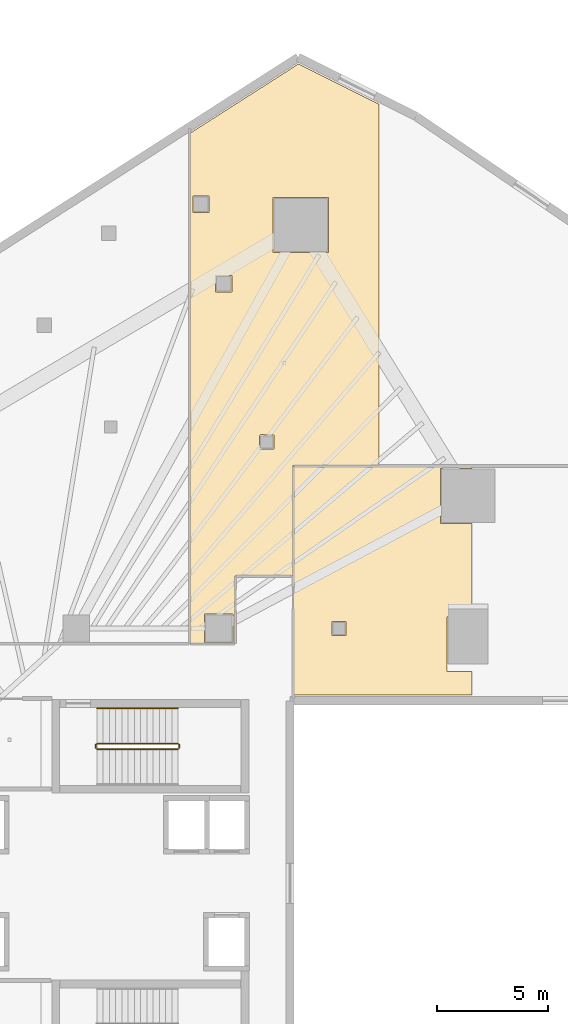
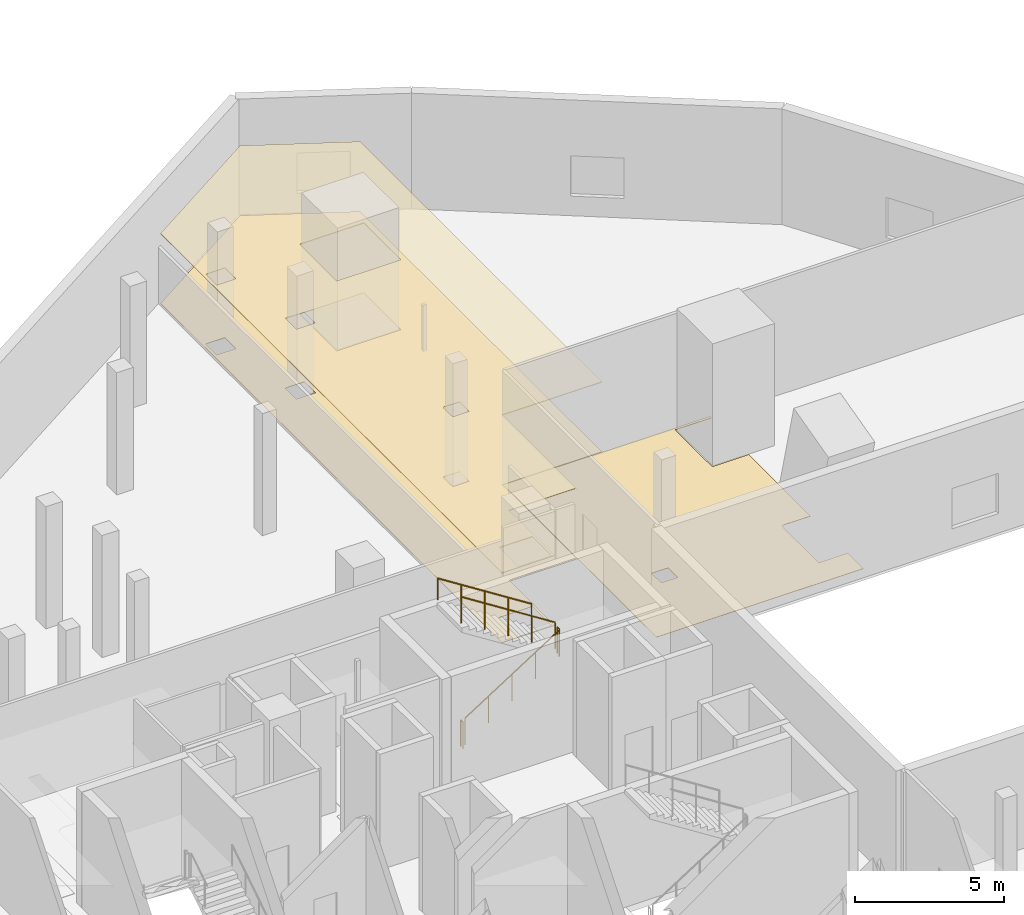
# One storey, part 44 of 47: 5 railings, 3 coverings.
"""IFC4 building model written with IfcOpenShell, lengths in metres."""

from ifc_helpers import new_model, si_unit, direction, frame, origin, origin_2d, place, context, subcontext, project, spatial, polyline, circle, outline, extrude, material, layer, layer_set, type_object, element, save


model = new_model("IFC4")

# Units and contexts
model_context = context("Model", 3, precision=1e-05, world=origin(), true_north=direction((0.0, 1.0)))
body_context = subcontext(model_context, "Body", "Model", "MODEL_VIEW")
ifc_project = project(units=[si_unit("LENGTHUNIT", "METRE"), si_unit("AREAUNIT", "SQUARE_METRE"), si_unit("VOLUMEUNIT", "CUBIC_METRE"), si_unit("PLANEANGLEUNIT", "RADIAN"), si_unit("MASSUNIT", "GRAM", prefix="KILO")], contexts=[model_context])

# Site, building, storey
site_placement = place(None, origin())
site = spatial("IfcSite", under=ifc_project, at=site_placement, CompositionType="ELEMENT")
building_placement = place(site_placement, origin())
building = spatial("IfcBuilding", under=site, at=building_placement, Name="Qorvath Tower", CompositionType="ELEMENT")
storey_placement = place(building_placement, frame((0.0, 0.0, 12.0)))
storey = spatial("IfcBuildingStorey", under=building, at=storey_placement, Name="L02", CompositionType="ELEMENT", Elevation=12.0)

# Coverings
ifc_material_1 = material(Name="Acoustic mineral fibre ceiling tile", Category="gypsum")
ifc_layer_1 = layer(ifc_material_1, 0.030029296875)
ifc_layer_set_1 = layer_set([ifc_layer_1], Name="COV-CEIL")
covering_type_1 = type_object("IfcCoveringType", Name="COV-CEIL", PredefinedType="CEILING", material=ifc_layer_set_1)
covering_1_placement = place(storey_placement, frame((0.0, 0.0, 2.85009765625)))
element("IfcCovering", 1, at=covering_1_placement, inside=storey, type_object=covering_type_1, Name="L02 Suspended Acoustic Ceiling 009", PredefinedType="CEILING", context=body_context, shape_type="SweptSolid", body=[
    extrude(outline(polyline([(-10.009765625, 18.762939453125), (-10.009765625, 34.99658203125), (-13.619873046875, 36.801513671875), (-18.4951171875, 33.685791015625), (-18.4951171875, 10.762939453125), (-16.462890625, 10.762939453125), (-16.46142578125, 13.8115234375), (-13.863037109375, 13.81298828125), (-13.85791015625, 18.762939453125), (-10.009765625, 18.762939453125)]), holes=[polyline([(-14.762451171875, 30.810546875), (-12.277587890625, 30.810546875), (-12.277587890625, 28.32568359375), (-14.762451171875, 28.32568359375), (-14.762451171875, 30.810546875)]), polyline([(-15.381103515625, 20.093017578125), (-15.321044921875, 20.153076171875), (-14.728759765625, 20.135498046875), (-14.728759765625, 19.500732421875), (-15.363525390625, 19.500732421875), (-15.381103515625, 20.093017578125)]), polyline([(-17.842529296875, 12.092529296875), (-16.5576171875, 12.092529296875), (-16.5576171875, 10.8076171875), (-17.842529296875, 10.8076171875), (-17.842529296875, 12.092529296875)]), polyline([(-17.3486328125, 27.296630859375), (-16.61376953125, 27.296630859375), (-16.61376953125, 26.561767578125), (-17.3486328125, 26.561767578125), (-17.3486328125, 27.296630859375)]), polyline([(-18.367431640625, 30.867431640625), (-17.632568359375, 30.867431640625), (-17.632568359375, 30.132568359375), (-18.367431640625, 30.132568359375), (-18.367431640625, 30.867431640625)])]), origin(), (0.0, 0.0, 1.0), 0.030029296875),
])
ifc_material_2 = material(Name="Low-VOC modular carpet tile", Category="textile")
ifc_layer_2 = layer(ifc_material_2, 0.014892578125)
ifc_layer_set_2 = layer_set([ifc_layer_2], Name="COV-FLOOR-CPT")
covering_type_2 = type_object("IfcCoveringType", Name="COV-FLOOR-CPT", PredefinedType="FLOORING", material=ifc_layer_set_2)
covering_2_placement = place(storey_placement, origin())
element("IfcCovering", 2, at=covering_2_placement, inside=storey, type_object=covering_type_2, Name="L02 Floor Finish 008", PredefinedType="FLOORING", context=body_context, shape_type="SweptSolid", body=[
    extrude(outline(polyline([(-5.83056640625, 8.455078125), (-5.83056640625, 9.507568359375), (-6.9423828125, 9.507568359375), (-6.9599609375, 11.949951171875), (-6.89990234375, 12.010009765625), (-5.83056640625, 11.999755859375), (-5.83056640625, 16.157470703125), (-7.242431640625, 16.157470703125), (-7.242431640625, 18.642333984375), (-5.83056640625, 18.642333984375), (-5.83056640625, 18.7451171875), (-13.844970703125, 18.7451171875), (-13.844970703125, 8.455078125), (-5.83056640625, 8.455078125)]), holes=[polyline([(-12.117431640625, 11.767333984375), (-11.482666015625, 11.767333984375), (-11.482666015625, 11.132568359375), (-12.117431640625, 11.132568359375), (-12.117431640625, 11.767333984375)])]), origin(), (0.0, 0.0, 1.0), 0.014892578125),
])
covering_3_placement = place(storey_placement, origin())
element("IfcCovering", 3, at=covering_3_placement, inside=storey, type_object=covering_type_2, Name="L02 Floor Finish 009", PredefinedType="FLOORING", context=body_context, shape_type="SweptSolid", body=[
    extrude(outline(polyline([(-10.009765625, 18.762939453125), (-10.009765625, 34.99658203125), (-13.619873046875, 36.801513671875), (-18.4951171875, 33.685791015625), (-18.4951171875, 10.762939453125), (-16.462890625, 10.762939453125), (-16.46142578125, 13.8115234375), (-13.863037109375, 13.81298828125), (-13.85791015625, 18.762939453125), (-10.009765625, 18.762939453125)]), holes=[polyline([(-14.762451171875, 30.810546875), (-12.277587890625, 30.810546875), (-12.277587890625, 28.32568359375), (-14.762451171875, 28.32568359375), (-14.762451171875, 30.810546875)]), polyline([(-15.381103515625, 20.093017578125), (-15.321044921875, 20.153076171875), (-14.728759765625, 20.135498046875), (-14.728759765625, 19.500732421875), (-15.363525390625, 19.500732421875), (-15.381103515625, 20.093017578125)]), polyline([(-17.842529296875, 12.092529296875), (-16.5576171875, 12.092529296875), (-16.5576171875, 10.8076171875), (-17.842529296875, 10.8076171875), (-17.842529296875, 12.092529296875)]), polyline([(-17.3486328125, 27.296630859375), (-16.61376953125, 27.296630859375), (-16.61376953125, 26.561767578125), (-17.3486328125, 26.561767578125), (-17.3486328125, 27.296630859375)]), polyline([(-18.367431640625, 30.867431640625), (-17.632568359375, 30.867431640625), (-17.632568359375, 30.132568359375), (-18.367431640625, 30.132568359375), (-18.367431640625, 30.867431640625)])]), origin(), (0.0, 0.0, 1.0), 0.014892578125),
])

# Railings
ifc_material_3 = material(Name="Painted galvanised steel", Category="steel")
railing_type_1 = type_object("IfcRailingType", Name="RL-STR-GRD", PredefinedType="GUARDRAIL", material=ifc_material_3)
railing_1_placement = place(storey_placement, frame((-22.669921875, 6.030029296875, 0.178466796875)))
element("IfcRailing", 4, at=railing_1_placement, inside=storey, type_object=railing_type_1, Name="L02 TS1 stair guard 1", PredefinedType="GUARDRAIL", context=body_context, shape_type="SweptSolid", body=[
    extrude(circle(Radius=0.02392578125, at=origin_2d()), frame((0.0, 0.0, 1.076171875), z_axis=(0.843111507901, 0.0, 0.53773877045), x_axis=(0.0, 1.0, 0.0)), (0.0, 0.0, 1.0), 4.317138671875),
    extrude(circle(Radius=0.02099609375, at=origin_2d()), origin(), (0.0, 0.0, 1.0), 1.052001953125),
    extrude(circle(Radius=0.02099609375, at=origin_2d()), frame((0.909912109375, 0.0, 0.580322265625)), (0.0, 0.0, 1.0), 1.052001953125),
    extrude(circle(Radius=0.02099609375, at=origin_2d()), frame((1.81982421875, 0.0, 1.16064453125)), (0.0, 0.0, 1.0), 1.052001953125),
    extrude(circle(Radius=0.02099609375, at=origin_2d()), frame((2.72998046875, 0.0, 1.7412109375)), (0.0, 0.0, 1.0), 1.052001953125),
    extrude(circle(Radius=0.02099609375, at=origin_2d()), frame((3.639892578125, 0.0, 2.321533203125)), (0.0, 0.0, 1.0), 1.052001953125),
])
railing_2_placement = place(storey_placement, frame((-18.97998046875, 6.080078125, 2.5)))
element("IfcRailing", 5, at=railing_2_placement, inside=storey, type_object=railing_type_1, Name="L02 TS1 stair guard 2", PredefinedType="GUARDRAIL", context=body_context, shape_type="SweptSolid", body=[
    extrude(circle(Radius=0.02392578125, at=origin_2d()), frame((0.0, 0.0, 1.076171875), z_axis=(0.0, 1.0, 0.0), x_axis=(-1.0, 0.0, 0.0)), (0.0, 0.0, 1.0), 0.14990234375),
    extrude(circle(Radius=0.02099609375, at=origin_2d()), origin(), (0.0, 0.0, 1.0), 1.052001953125),
    extrude(circle(Radius=0.02099609375, at=origin_2d()), frame((0.0, 0.14990234375, 0.0)), (0.0, 0.0, 1.0), 1.052001953125),
])
railing_3_placement = place(storey_placement, frame((-19.030029296875, 6.280029296875, 2.678466796875)))
element("IfcRailing", 6, at=railing_3_placement, inside=storey, type_object=railing_type_1, Name="L02 TS1 stair guard 3", PredefinedType="GUARDRAIL", context=body_context, shape_type="SweptSolid", body=[
    extrude(circle(Radius=0.02392578125, at=origin_2d()), frame((0.0, 0.0, 1.076171875), z_axis=(-0.843111507901, 0.0, 0.53773877045), x_axis=(0.0, -1.0, 0.0)), (0.0, 0.0, 1.0), 4.317138671875),
    extrude(circle(Radius=0.02099609375, at=origin_2d()), origin(), (0.0, 0.0, 1.0), 1.052001953125),
    extrude(circle(Radius=0.02099609375, at=origin_2d()), frame((-0.909912109375, 0.0, 0.580322265625)), (0.0, 0.0, 1.0), 1.052001953125),
    extrude(circle(Radius=0.02099609375, at=origin_2d()), frame((-1.81982421875, 0.0, 1.16064453125)), (0.0, 0.0, 1.0), 1.052001953125),
    extrude(circle(Radius=0.02099609375, at=origin_2d()), frame((-2.72998046875, 0.0, 1.7412109375)), (0.0, 0.0, 1.0), 1.052001953125),
    extrude(circle(Radius=0.02099609375, at=origin_2d()), frame((-3.639892578125, 0.0, 2.321533203125)), (0.0, 0.0, 1.0), 1.052001953125),
])
railing_4_placement = place(storey_placement, frame((-22.719970703125, 6.080078125, 0.0)))
element("IfcRailing", 7, at=railing_4_placement, inside=storey, type_object=railing_type_1, Name="L02 TS1 stair guard 4", PredefinedType="GUARDRAIL", context=body_context, shape_type="SweptSolid", body=[
    extrude(circle(Radius=0.02392578125, at=origin_2d()), frame((0.0, 0.0, 1.076171875), z_axis=(0.0, 1.0, 0.0), x_axis=(-1.0, 0.0, 0.0)), (0.0, 0.0, 1.0), 0.14990234375),
    extrude(circle(Radius=0.02099609375, at=origin_2d()), origin(), (0.0, 0.0, 1.0), 1.052001953125),
    extrude(circle(Radius=0.02099609375, at=origin_2d()), frame((0.0, 0.14990234375, 0.0)), (0.0, 0.0, 1.0), 1.052001953125),
])
ifc_material_4 = material(Name="Brushed stainless steel AISI 304", Category="steel")
railing_type_2 = type_object("IfcRailingType", Name="RL-STR-HND", PredefinedType="HANDRAIL", material=ifc_material_4)
railing_5_placement = place(storey_placement, frame((-19.030029296875, 7.860107421875, 2.678466796875)))
element("IfcRailing", 8, at=railing_5_placement, inside=storey, type_object=railing_type_2, Name="L02 TS1 stair handrail 2", PredefinedType="HANDRAIL", context=body_context, shape_type="SweptSolid", body=[
    extrude(circle(Radius=0.02392578125, at=origin_2d()), frame((0.0, 0.0, 0.8759765625), z_axis=(-0.843111507901, 0.0, 0.53773877045), x_axis=(0.0, -1.0, 0.0)), (0.0, 0.0, 1.0), 4.317138671875),
    extrude(circle(Radius=0.02099609375, at=origin_2d()), origin(), (0.0, 0.0, 1.0), 0.851806640625),
    extrude(circle(Radius=0.02099609375, at=origin_2d()), frame((-0.909912109375, 0.0, 0.580322265625)), (0.0, 0.0, 1.0), 0.851806640625),
    extrude(circle(Radius=0.02099609375, at=origin_2d()), frame((-1.81982421875, 0.0, 1.16064453125)), (0.0, 0.0, 1.0), 0.851806640625),
    extrude(circle(Radius=0.02099609375, at=origin_2d()), frame((-2.72998046875, 0.0, 1.7412109375)), (0.0, 0.0, 1.0), 0.851806640625),
    extrude(circle(Radius=0.02099609375, at=origin_2d()), frame((-3.639892578125, 0.0, 2.321533203125)), (0.0, 0.0, 1.0), 0.851806640625),
])

save(model, "model.ifc")
